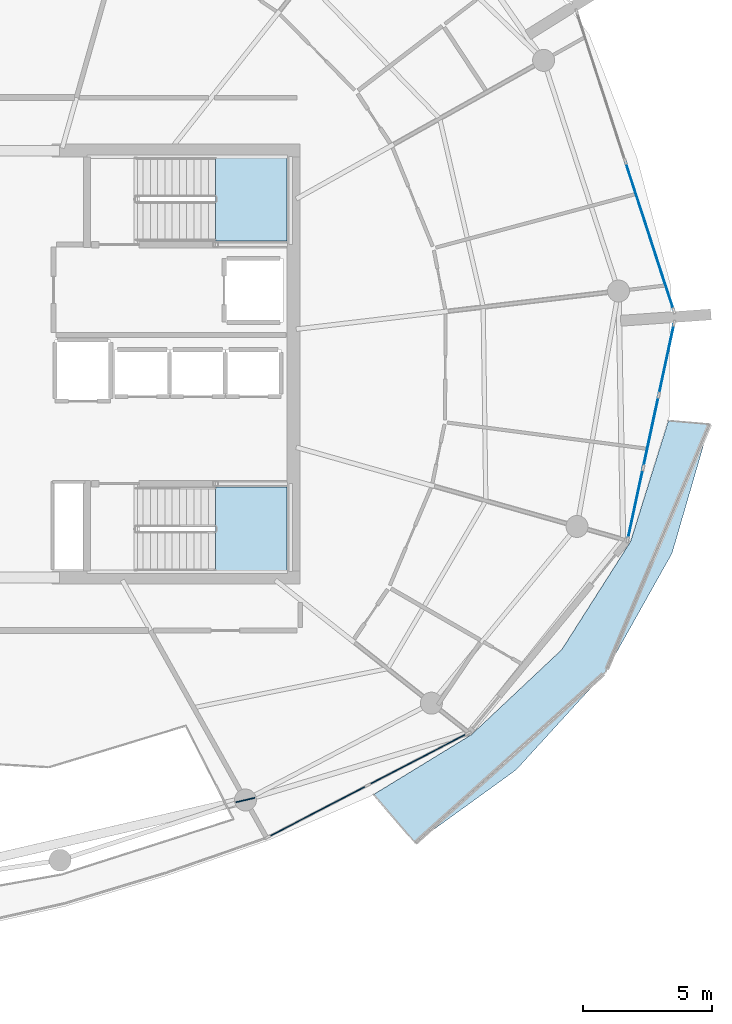
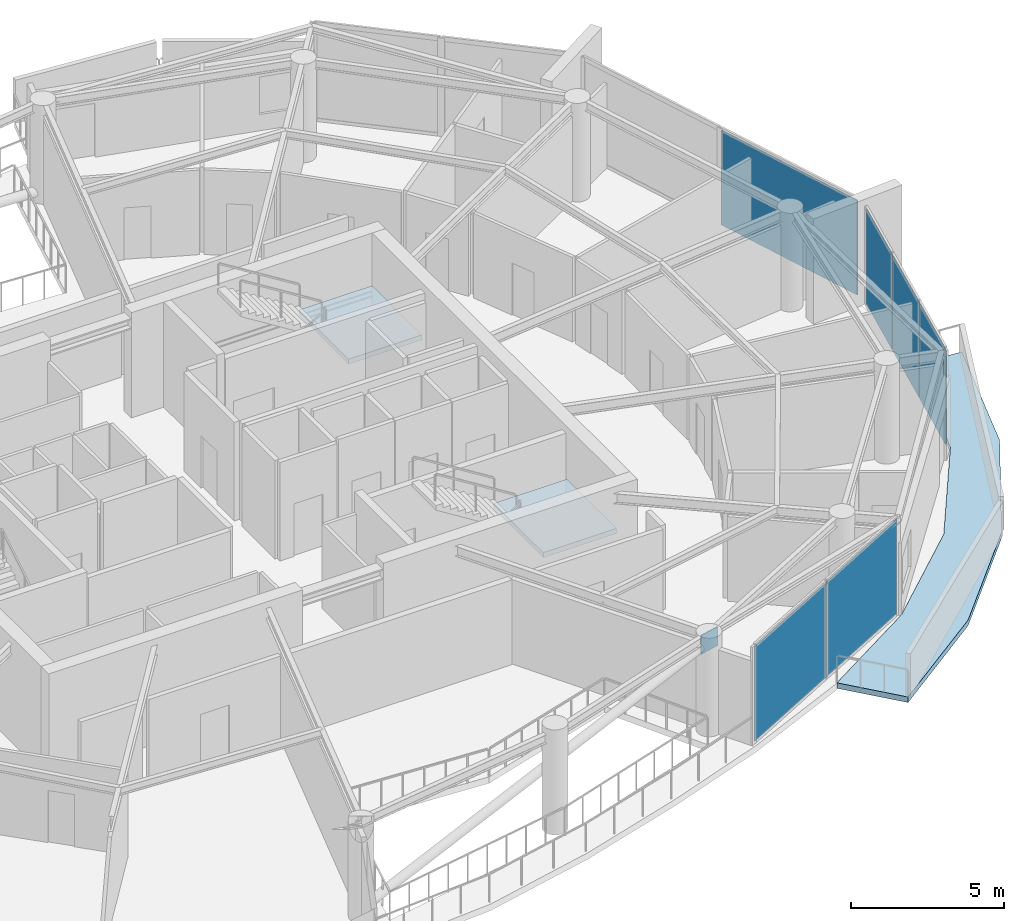
# One storey, part 11 of 22: 7 plates, 3 slabs, 5 elements without a shape of their own.
"""IFC4 building model written with IfcOpenShell, lengths in metres."""

import ifcopenshell
import ifcopenshell.guid

model = None  # the IFC model being written
_history = None  # IfcOwnerHistory: only IFC2X3 demands one
_inside = {}  # id of a spatial element -> (the spatial element, [elements in it])
_under = {}  # id of a project, library or spatial element -> (it, [spatial elements below it])
_declared = {}  # id of a project -> (the project, [libraries it declares])
_typed = {}  # id of a type object -> (the type object, [elements of that type])
_made_of = {}  # id of a material, layer set ... -> (it, [elements and type objects made of it])


def new_model(schema):
    """Start an empty IFC model of exactly this schema.

    Asked for "IFC4X3", IfcOpenShell would pick the latest addendum, in which some entities
    have other attributes; the version numbers below select the first issue.
    IFC2X3 requires an IfcOwnerHistory on every rooted entity: one is made here for all.
    """
    global model, _history
    if schema == "IFC4X3":
        model = ifcopenshell.file(schema_version=(4, 3, 0, 0))
    else:
        model = ifcopenshell.file(schema=schema)
    _inside.clear()
    _under.clear()
    _declared.clear()
    _typed.clear()
    _made_of.clear()
    _history = None
    if model.schema == "IFC2X3":
        org = make("IfcOrganization", Name="unknown")
        user = make(
            "IfcPersonAndOrganization",
            ThePerson=make("IfcPerson", FamilyName="unknown"),
            TheOrganization=org,
        )
        app = make(
            "IfcApplication",
            ApplicationDeveloper=org,
            Version="unknown",
            ApplicationFullName="unknown",
            ApplicationIdentifier="unknown",
        )
        _history = make(
            "IfcOwnerHistory",
            OwningUser=user,
            OwningApplication=app,
            ChangeAction="ADDED",
            CreationDate=0,
        )
    return model


def make(cls, **values):
    """One entity of the class cls with the attributes given. An attribute that is None is left unset."""
    return model.create_entity(
        cls, **{name: value for name, value in values.items() if value is not None}
    )


def rooted(cls, **values):
    """An entity with a GlobalId (a new one), such as an element, a storey or a relation."""
    return make(cls, GlobalId=ifcopenshell.guid.new(), OwnerHistory=_history, **values)


def si_unit(unit_type, name, prefix=None):
    """IfcSIUnit, for example si_unit("LENGTHUNIT", "METRE", prefix="MILLI")."""
    return make("IfcSIUnit", UnitType=unit_type, Prefix=prefix, Name=name)


def assignment(units):
    """IfcUnitAssignment: the units of a project."""
    return None if units is None else make("IfcUnitAssignment", Units=units)


def point(xyz):
    """IfcCartesianPoint."""
    return None if xyz is None else make("IfcCartesianPoint", Coordinates=xyz)


def direction(xyz):
    """IfcDirection."""
    return None if xyz is None else make("IfcDirection", DirectionRatios=xyz)


def frame(location, z_axis=None, x_axis=None):
    """IfcAxis2Placement3D, a coordinate frame: its origin and axes. An axis left out is left unset."""
    return make(
        "IfcAxis2Placement3D",
        Location=point(location),
        Axis=direction(z_axis),
        RefDirection=direction(x_axis),
    )


def frame_2d(location, x_axis=None):
    """IfcAxis2Placement2D, a coordinate frame in the plane: its origin and x axis."""
    return make(
        "IfcAxis2Placement2D", Location=point(location), RefDirection=direction(x_axis)
    )


def origin():
    """The frame at (0, 0, 0) with its axes left unset."""
    return frame((0.0, 0.0, 0.0))


def origin_2d():
    """The frame at (0, 0) in the plane with its x axis left unset."""
    return frame_2d((0.0, 0.0))


def place(relative_to, where):
    """IfcLocalPlacement: puts the frame where relative to a parent placement (None: the world)."""
    return make(
        "IfcLocalPlacement", PlacementRelTo=relative_to, RelativePlacement=where
    )


def context(
    kind, dimensions, precision=None, world=None, true_north=None, identifier=None
):
    """IfcGeometricRepresentationContext, for example the 3D "Model" context."""
    return make(
        "IfcGeometricRepresentationContext",
        ContextIdentifier=identifier,
        ContextType=kind,
        CoordinateSpaceDimension=dimensions,
        Precision=precision,
        WorldCoordinateSystem=world,
        TrueNorth=true_north,
    )


def subcontext(parent, identifier, kind, view, scale=None):
    """IfcGeometricRepresentationSubContext, for example "Body" below "Model"."""
    return make(
        "IfcGeometricRepresentationSubContext",
        ContextIdentifier=identifier,
        ContextType=kind,
        ParentContext=parent,
        TargetScale=scale,
        TargetView=view,
    )


def project(units=None, contexts=None):
    """IfcProject with its units and contexts."""
    return rooted(
        "IfcProject",
        Name="project",
        RepresentationContexts=contexts,
        UnitsInContext=assignment(units),
    )


def spatial(cls, under=None, at=None, **own):
    """A site, building, storey or space (cls), placed at a placement, below another one or the project."""
    s = rooted(cls, ObjectPlacement=at, **own)
    if under is not None:
        _under.setdefault(under.id(), (under, []))[1].append(s)
    return s


def polyline(points):
    """IfcPolyline through the points."""
    return make("IfcPolyline", Points=[point(p) for p in points])


def profile(cls, at=None, kind="AREA", **sizes):
    """A parametric profile (cls). Its sizes go by their IFC names, for example OverallWidth=200.0."""
    return make(cls, ProfileType=kind, Position=at, **sizes)


def rectangle(**sizes):
    """IfcRectangleProfileDef."""
    return profile("IfcRectangleProfileDef", **sizes)


def outline(outer, holes=None, kind="AREA"):
    """IfcArbitraryClosedProfileDef: a profile drawn as a closed curve; with holes, ...WithVoids."""
    if holes is None:
        return make("IfcArbitraryClosedProfileDef", ProfileType=kind, OuterCurve=outer)
    return make(
        "IfcArbitraryProfileDefWithVoids",
        ProfileType=kind,
        OuterCurve=outer,
        InnerCurves=holes,
    )


def extrude(swept, where, along, depth):
    """IfcExtrudedAreaSolid: the profile swept, set in the frame where, extruded along a direction by depth."""
    return make(
        "IfcExtrudedAreaSolid",
        SweptArea=swept,
        Position=where,
        ExtrudedDirection=direction(along),
        Depth=depth,
    )


def shape(context_of_items, identifier, shape_type, items):
    """IfcShapeRepresentation: the items that make up one representation, for example the "Body"."""
    return make(
        "IfcShapeRepresentation",
        ContextOfItems=context_of_items,
        RepresentationIdentifier=identifier,
        RepresentationType=shape_type,
        Items=items,
    )


def material(Name=None, Category=None):
    """IfcMaterial."""
    return make("IfcMaterial", Name=Name, Category=Category)


def layer(
    of_material, thickness, ventilated=None, Name=None, Category=None, Priority=None
):
    """IfcMaterialLayer: one layer of a wall or slab, of a material (None: an air gap)."""
    return make(
        "IfcMaterialLayer",
        Material=of_material,
        LayerThickness=thickness,
        IsVentilated=ventilated,
        Name=Name,
        Category=Category,
        Priority=Priority,
    )


def layer_set(layers, Name=None):
    """IfcMaterialLayerSet."""
    return make("IfcMaterialLayerSet", MaterialLayers=layers, LayerSetName=Name)


def made_of(thing, what):
    """Note that an element or type object is made of a material, layer set ...; save() writes the relation."""
    if what is not None:
        _made_of.setdefault(what.id(), (what, []))[1].append(thing)
    return thing


def type_object(cls, material=None, **own):
    """A type object (cls), such as IfcWallType, which elements share."""
    return made_of(rooted(cls, **own), material)


def element(
    cls,
    number,
    at=None,
    inside=None,
    cuts=None,
    type_object=None,
    material=None,
    context=None,
    identifier="Body",
    shape_type=None,
    held_by="IfcProductDefinitionShape",
    body=None,
    shapes=None,
    **own,
):
    """One element of the class cls, such as IfcWall. Its Tag is "e" and its number.

    at: its placement. inside: the storey or other place that contains it. cuts: it is an
    opening in that element (IfcRelVoidsElement). A single representation is given by context,
    identifier, shape_type and body (its items); several are given by shapes. held_by: the class
    of the entity that holds the representations. save() writes the other relations.
    """
    e = rooted(cls, Tag="e%d" % number, ObjectPlacement=at, **own)
    if body is not None:
        shapes = [shape(context, identifier, shape_type, body)]
    if shapes is not None:
        e.Representation = make(held_by, Representations=shapes)
    if inside is not None:
        _inside.setdefault(inside.id(), (inside, []))[1].append(e)
    if cuts is not None:
        rooted(
            "IfcRelVoidsElement", RelatingBuildingElement=cuts, RelatedOpeningElement=e
        )
    if type_object is not None:
        _typed.setdefault(type_object.id(), (type_object, []))[1].append(e)
    return made_of(e, material)


def aggregate(whole, parts):
    """IfcRelAggregates: a whole, such as a stair, and the parts it consists of."""
    return rooted("IfcRelAggregates", RelatingObject=whole, RelatedObjects=parts)


def save(model, path):
    """Write the relations noted so far, then the file.

    IfcRelAggregates (storeys below a building ...), IfcRelContainedInSpatialStructure (elements
    in a storey), IfcRelDefinesByType, IfcRelAssociatesMaterial and IfcRelDeclares: one each for
    every whole, place, type object, material and project.
    """
    for whole, parts in _under.values():
        aggregate(whole, parts)
    for where, things in _inside.values():
        rooted(
            "IfcRelContainedInSpatialStructure",
            RelatedElements=things,
            RelatingStructure=where,
        )
    for kind, things in _typed.values():
        rooted("IfcRelDefinesByType", RelatedObjects=things, RelatingType=kind)
    for what, things in _made_of.values():
        rooted("IfcRelAssociatesMaterial", RelatedObjects=things, RelatingMaterial=what)
    for by, libraries in _declared.values():
        rooted("IfcRelDeclares", RelatingContext=by, RelatedDefinitions=libraries)
    model.write(path)


model = new_model("IFC4")

# Units and contexts
model_context = context("Model", 3, precision=1e-05, world=origin(), true_north=direction((0.0, 1.0)))
body_context = subcontext(model_context, "Body", "Model", "MODEL_VIEW")
ifc_project = project(units=[si_unit("LENGTHUNIT", "METRE"), si_unit("AREAUNIT", "SQUARE_METRE"), si_unit("VOLUMEUNIT", "CUBIC_METRE"), si_unit("PLANEANGLEUNIT", "RADIAN"), si_unit("MASSUNIT", "GRAM", prefix="KILO")], contexts=[model_context])

# Site, building, storey
site_placement = place(None, origin())
site = spatial("IfcSite", under=ifc_project, at=site_placement, CompositionType="ELEMENT")
building_placement = place(site_placement, origin())
building = spatial("IfcBuilding", under=site, at=building_placement, Name="Kazma Halo Residences", CompositionType="ELEMENT")
storey_placement = place(building_placement, frame((0.0, 0.0, 322.10009765625)))
storey = spatial("IfcBuildingStorey", under=building, at=storey_placement, Name="L81", CompositionType="ELEMENT", Elevation=322.10009765625)

# Curtain wall, plates
ifc_material_1 = material(Name="Aluminium AW-6063 T6 and Triple-Silver Low-E Glass", Category="aluminium")
ifc_layer_1 = layer(ifc_material_1, 0.239990234375)
ifc_layer_set_1 = layer_set([ifc_layer_1], Name="Aluminium AW-6063 T6 and Triple-Silver Low-E Glass")
curtain_wall_type = type_object("IfcCurtainWallType", Name="CW-SYS-6", PredefinedType="NOTDEFINED", material=ifc_layer_set_1)
curtain_wall_1_placement = place(storey_placement, origin())
curtain_wall_1 = element("IfcCurtainWall", 1, at=curtain_wall_1_placement, inside=storey, type_object=curtain_wall_type, Name="L81 unitised curtain wall B13", PredefinedType="NOTDEFINED")
ifc_material_2 = material(Name="Clear Triple-Silver Low-E Glass IGU", Category="glass")
ifc_layer_2 = layer(ifc_material_2, 0.035888671875)
ifc_layer_set_2 = layer_set([ifc_layer_2], Name="Clear Triple-Silver Low-E Glass IGU")
plate_type_1 = type_object("IfcPlateType", Name="CW-SYS-6-PNL", PredefinedType="CURTAIN_PANEL", material=ifc_layer_set_2)
plate_1_placement = place(storey_placement, frame((60.22802734375, 24.713134765625, 0.080078125), z_axis=(0.0, 0.0, 1.0), x_axis=(0.887506071618, 0.460796020861, 0.0)))
plate_1 = element("IfcPlate", 2, at=plate_1_placement, type_object=plate_type_1, Name="CWS-6 panel 1.1", PredefinedType="CURTAIN_PANEL", context=body_context, shape_type="SweptSolid", body=[
    extrude(rectangle(XDim=4.28662109375, YDim=0.035888671875, at=origin_2d()), origin(), (0.0, 0.0, 1.0), 3.780029296875),
])
plate_2_placement = place(storey_placement, frame((64.103271484375, 26.725341796875, 0.080078125), z_axis=(0.0, 0.0, 1.0), x_axis=(0.887506071618, 0.460796020861, 0.0)))
plate_2 = element("IfcPlate", 3, at=plate_2_placement, type_object=plate_type_1, Name="CWS-6 panel 2.1", PredefinedType="CURTAIN_PANEL", context=body_context, shape_type="SweptSolid", body=[
    extrude(rectangle(XDim=4.28662109375, YDim=0.035888671875, at=origin_2d()), origin(), (0.0, 0.0, 1.0), 3.780029296875),
])
aggregate(curtain_wall_1, [plate_1, plate_2])

curtain_wall_2_placement = place(storey_placement, origin())
curtain_wall_2 = element("IfcCurtainWall", 4, at=curtain_wall_2_placement, inside=storey, type_object=curtain_wall_type, Name="L81 unitised curtain wall B15", PredefinedType="NOTDEFINED")
plate_3_placement = place(storey_placement, frame((72.513427734375, 36.59912109375, 0.080078125), z_axis=(0.0, 0.0, 1.0), x_axis=(0.209722888986, 0.977760865363, 0.0)))
plate_3 = element("IfcPlate", 5, at=plate_3_placement, type_object=plate_type_1, Name="CWS-6 panel 1.1", PredefinedType="CURTAIN_PANEL", context=body_context, shape_type="SweptSolid", body=[
    extrude(rectangle(XDim=2.7578125, YDim=0.035888671875, at=origin_2d()), origin(), (0.0, 0.0, 1.0), 3.780029296875),
])
plate_4_placement = place(storey_placement, frame((73.11279296875, 39.3935546875, 0.080078125), z_axis=(0.0, 0.0, 1.0), x_axis=(0.209722888986, 0.977760865363, 0.0)))
plate_4 = element("IfcPlate", 6, at=plate_4_placement, type_object=plate_type_1, Name="CWS-6 panel 2.1", PredefinedType="CURTAIN_PANEL", context=body_context, shape_type="SweptSolid", body=[
    extrude(rectangle(XDim=2.7978515625, YDim=0.035888671875, at=origin_2d()), origin(), (0.0, 0.0, 1.0), 3.780029296875),
])
plate_5_placement = place(storey_placement, frame((73.712158203125, 42.187744140625, 0.080078125), z_axis=(0.0, 0.0, 1.0), x_axis=(0.209722888986, 0.977760865363, 0.0)))
plate_5 = element("IfcPlate", 7, at=plate_5_placement, type_object=plate_type_1, Name="CWS-6 panel 3.1", PredefinedType="CURTAIN_PANEL", context=body_context, shape_type="SweptSolid", body=[
    extrude(rectangle(XDim=2.7578125, YDim=0.035888671875, at=origin_2d()), origin(), (0.0, 0.0, 1.0), 3.780029296875),
])
aggregate(curtain_wall_2, [plate_3, plate_4, plate_5])

# Curtain wall, plate
curtain_wall_3_placement = place(storey_placement, origin())
curtain_wall_3 = element("IfcCurtainWall", 8, at=curtain_wall_3_placement, inside=storey, type_object=curtain_wall_type, Name="L81 unitised curtain wall B16", PredefinedType="NOTDEFINED")
plate_6_placement = place(storey_placement, frame((73.060791015625, 46.9501953125, 0.080078125), z_axis=(0.0, 0.0, 1.0), x_axis=(-0.309018932797, 0.951055886462, 0.0)))
plate_6 = element("IfcPlate", 9, at=plate_6_placement, type_object=plate_type_1, Name="CWS-6 panel 1.1", PredefinedType="CURTAIN_PANEL", context=body_context, shape_type="SweptSolid", body=[
    extrude(rectangle(XDim=5.99267578125, YDim=0.035888671875, at=origin_2d()), origin(), (0.0, 0.0, 1.0), 3.780029296875),
])
aggregate(curtain_wall_3, [plate_6])

# Plate
ifc_material_3 = material(Name="Steel S355", Category="steel")
ifc_layer_3 = layer(ifc_material_3, 0.0400390625)
ifc_layer_set_3 = layer_set([ifc_layer_3], Name="Steel S355")
plate_type_2 = type_object("IfcPlateType", Name="PLT-GUSSET-40", PredefinedType="SHEET", material=ifc_layer_set_3)
plate_7_placement = place(storey_placement, frame((57.436767578125, 25.1494140625, 3.184814453125), z_axis=(0.0, 0.0, 1.0), x_axis=(0.974083647521, 0.226188080216, 0.0)))
element("IfcPlate", 10, at=plate_7_placement, inside=storey, type_object=plate_type_2, Name="L81 wind-portal upper gusset SSE", PredefinedType="SHEET", context=body_context, shape_type="SweptSolid", body=[
    extrude(rectangle(XDim=0.75, YDim=0.0400390625, at=origin_2d()), origin(), (0.0, 0.0, 1.0), 0.75),
])

# Slab
ifc_material_4 = material(Name="White Concrete C50/60", Category="concrete")
ifc_layer_4 = layer(ifc_material_4, 0.219970703125)
ifc_layer_set_4 = layer_set([ifc_layer_4], Name="White Concrete C50/60")
slab_type_1 = type_object("IfcSlabType", Name="SLB-BAL-WAVE-210", PredefinedType="FLOOR", material=ifc_layer_set_4)
slab_1_placement = place(storey_placement, frame((0.0, 0.0, -0.22021484375)))
element("IfcSlab", 11, at=slab_1_placement, inside=storey, type_object=slab_type_1, Name="L81 SE cantilevered wave balcony slab", PredefinedType="FLOOR", context=body_context, shape_type="SweptSolid", body=[
    extrude(outline(polyline([(62.38818359375, 25.360595703125), (66.17236328125, 27.674072265625), (69.664794921875, 30.961181640625), (72.324951171875, 35.1396484375), (73.7900390625, 39.811767578125), (75.3818359375, 39.676513671875), (73.927978515625, 34.6875), (71.356689453125, 30.09912109375), (67.8994140625, 26.3125), (64.003173828125, 23.492919921875), (62.38818359375, 25.360595703125)])), origin(), (0.0, 0.0, 1.0), 0.22021484375),
])

# Stair, slab
ifc_material_5 = material(Name="Concrete C50/60", Category="concrete")
stair_type = type_object("IfcStairType", Name="STR-RES2", PredefinedType="HALF_TURN_STAIR", material=ifc_material_5)
stair_1_placement = place(storey_placement, origin())
stair_1 = element("IfcStair", 12, at=stair_1_placement, inside=storey, type_object=stair_type, Name="L81 Core exit stair ST-02", PredefinedType="HALF_TURN_STAIR")
ifc_layer_5 = layer(ifc_material_5, 0.199951171875)
ifc_layer_set_5 = layer_set([ifc_layer_5], Name="Concrete C50/60")
slab_type_2 = type_object("IfcSlabType", Name="SLB-STAIR-LND-200", PredefinedType="LANDING", material=ifc_layer_set_5)
slab_2_placement = place(storey_placement, frame((0.0, 0.0, 1.89990234375)))
slab_2 = element("IfcSlab", 13, at=slab_2_placement, type_object=slab_type_2, Name="ST-02 landing 1", PredefinedType="LANDING", context=body_context, shape_type="SweptSolid", body=[
    extrude(outline(polyline([(56.280029296875, 46.75), (59.050048828125, 46.75), (59.050048828125, 50.0), (56.280029296875, 50.0), (56.280029296875, 46.75)])), origin(), (0.0, 0.0, 1.0), 0.199951171875),
])
aggregate(stair_1, [slab_2])

stair_2_placement = place(storey_placement, origin())
stair_2 = element("IfcStair", 14, at=stair_2_placement, inside=storey, type_object=stair_type, Name="L81 Core exit stair ST-03", PredefinedType="HALF_TURN_STAIR")
slab_3_placement = place(storey_placement, frame((0.0, 0.0, 1.89990234375)))
slab_3 = element("IfcSlab", 15, at=slab_3_placement, type_object=slab_type_2, Name="ST-03 landing 1", PredefinedType="LANDING", context=body_context, shape_type="SweptSolid", body=[
    extrude(outline(polyline([(56.280029296875, 34.0), (59.050048828125, 34.0), (59.050048828125, 37.25), (56.280029296875, 37.25), (56.280029296875, 34.0)])), origin(), (0.0, 0.0, 1.0), 0.199951171875),
])
aggregate(stair_2, [slab_3])

save(model, "model.ifc")
